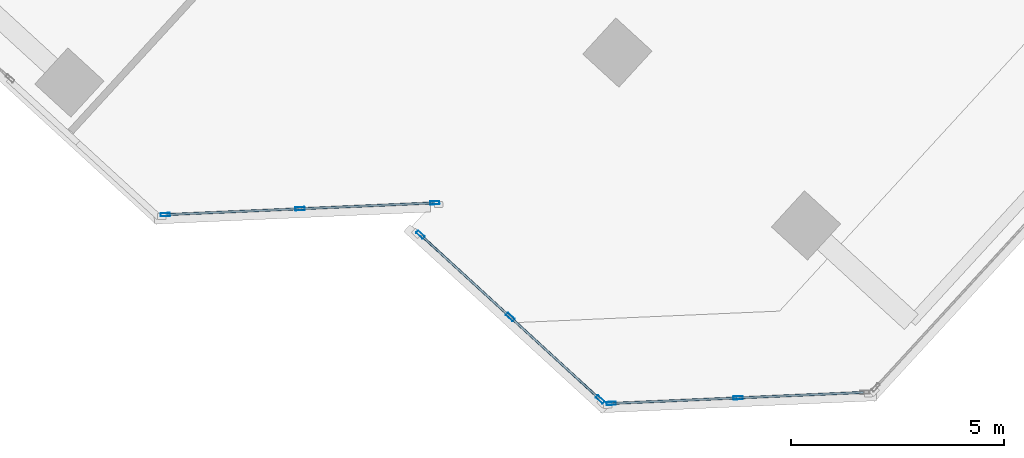
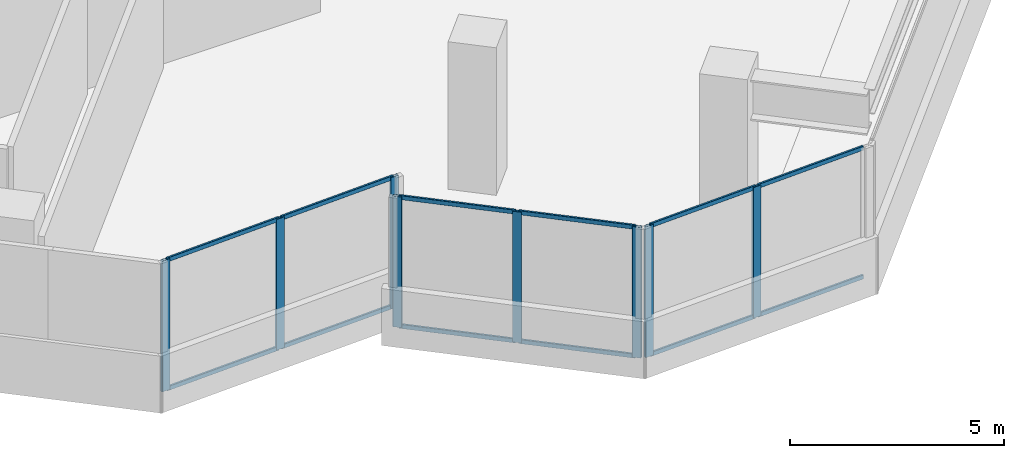
# One storey, part 3 of 18: 20 members, 3 elements without a shape of their own.
"""IFC4 building model written with IfcOpenShell, lengths in metres."""

import ifcopenshell
import ifcopenshell.guid

model = None  # the IFC model being written
_history = None  # IfcOwnerHistory: only IFC2X3 demands one
_inside = {}  # id of a spatial element -> (the spatial element, [elements in it])
_under = {}  # id of a project, library or spatial element -> (it, [spatial elements below it])
_declared = {}  # id of a project -> (the project, [libraries it declares])
_typed = {}  # id of a type object -> (the type object, [elements of that type])
_made_of = {}  # id of a material, layer set ... -> (it, [elements and type objects made of it])


def new_model(schema):
    """Start an empty IFC model of exactly this schema.

    Asked for "IFC4X3", IfcOpenShell would pick the latest addendum, in which some entities
    have other attributes; the version numbers below select the first issue.
    IFC2X3 requires an IfcOwnerHistory on every rooted entity: one is made here for all.
    """
    global model, _history
    if schema == "IFC4X3":
        model = ifcopenshell.file(schema_version=(4, 3, 0, 0))
    else:
        model = ifcopenshell.file(schema=schema)
    _inside.clear()
    _under.clear()
    _declared.clear()
    _typed.clear()
    _made_of.clear()
    _history = None
    if model.schema == "IFC2X3":
        org = make("IfcOrganization", Name="unknown")
        user = make(
            "IfcPersonAndOrganization",
            ThePerson=make("IfcPerson", FamilyName="unknown"),
            TheOrganization=org,
        )
        app = make(
            "IfcApplication",
            ApplicationDeveloper=org,
            Version="unknown",
            ApplicationFullName="unknown",
            ApplicationIdentifier="unknown",
        )
        _history = make(
            "IfcOwnerHistory",
            OwningUser=user,
            OwningApplication=app,
            ChangeAction="ADDED",
            CreationDate=0,
        )
    return model


def make(cls, **values):
    """One entity of the class cls with the attributes given. An attribute that is None is left unset."""
    return model.create_entity(
        cls, **{name: value for name, value in values.items() if value is not None}
    )


def rooted(cls, **values):
    """An entity with a GlobalId (a new one), such as an element, a storey or a relation."""
    return make(cls, GlobalId=ifcopenshell.guid.new(), OwnerHistory=_history, **values)


def si_unit(unit_type, name, prefix=None):
    """IfcSIUnit, for example si_unit("LENGTHUNIT", "METRE", prefix="MILLI")."""
    return make("IfcSIUnit", UnitType=unit_type, Prefix=prefix, Name=name)


def assignment(units):
    """IfcUnitAssignment: the units of a project."""
    return None if units is None else make("IfcUnitAssignment", Units=units)


def point(xyz):
    """IfcCartesianPoint."""
    return None if xyz is None else make("IfcCartesianPoint", Coordinates=xyz)


def direction(xyz):
    """IfcDirection."""
    return None if xyz is None else make("IfcDirection", DirectionRatios=xyz)


def frame(location, z_axis=None, x_axis=None):
    """IfcAxis2Placement3D, a coordinate frame: its origin and axes. An axis left out is left unset."""
    return make(
        "IfcAxis2Placement3D",
        Location=point(location),
        Axis=direction(z_axis),
        RefDirection=direction(x_axis),
    )


def frame_2d(location, x_axis=None):
    """IfcAxis2Placement2D, a coordinate frame in the plane: its origin and x axis."""
    return make(
        "IfcAxis2Placement2D", Location=point(location), RefDirection=direction(x_axis)
    )


def origin():
    """The frame at (0, 0, 0) with its axes left unset."""
    return frame((0.0, 0.0, 0.0))


def origin_2d():
    """The frame at (0, 0) in the plane with its x axis left unset."""
    return frame_2d((0.0, 0.0))


def place(relative_to, where):
    """IfcLocalPlacement: puts the frame where relative to a parent placement (None: the world)."""
    return make(
        "IfcLocalPlacement", PlacementRelTo=relative_to, RelativePlacement=where
    )


def context(
    kind, dimensions, precision=None, world=None, true_north=None, identifier=None
):
    """IfcGeometricRepresentationContext, for example the 3D "Model" context."""
    return make(
        "IfcGeometricRepresentationContext",
        ContextIdentifier=identifier,
        ContextType=kind,
        CoordinateSpaceDimension=dimensions,
        Precision=precision,
        WorldCoordinateSystem=world,
        TrueNorth=true_north,
    )


def subcontext(parent, identifier, kind, view, scale=None):
    """IfcGeometricRepresentationSubContext, for example "Body" below "Model"."""
    return make(
        "IfcGeometricRepresentationSubContext",
        ContextIdentifier=identifier,
        ContextType=kind,
        ParentContext=parent,
        TargetScale=scale,
        TargetView=view,
    )


def project(units=None, contexts=None):
    """IfcProject with its units and contexts."""
    return rooted(
        "IfcProject",
        Name="project",
        RepresentationContexts=contexts,
        UnitsInContext=assignment(units),
    )


def spatial(cls, under=None, at=None, **own):
    """A site, building, storey or space (cls), placed at a placement, below another one or the project."""
    s = rooted(cls, ObjectPlacement=at, **own)
    if under is not None:
        _under.setdefault(under.id(), (under, []))[1].append(s)
    return s


def profile(cls, at=None, kind="AREA", **sizes):
    """A parametric profile (cls). Its sizes go by their IFC names, for example OverallWidth=200.0."""
    return make(cls, ProfileType=kind, Position=at, **sizes)


def hollow_rectangle(**sizes):
    """IfcRectangleHollowProfileDef."""
    return profile("IfcRectangleHollowProfileDef", **sizes)


def extrude(swept, where, along, depth):
    """IfcExtrudedAreaSolid: the profile swept, set in the frame where, extruded along a direction by depth."""
    return make(
        "IfcExtrudedAreaSolid",
        SweptArea=swept,
        Position=where,
        ExtrudedDirection=direction(along),
        Depth=depth,
    )


def shape(context_of_items, identifier, shape_type, items):
    """IfcShapeRepresentation: the items that make up one representation, for example the "Body"."""
    return make(
        "IfcShapeRepresentation",
        ContextOfItems=context_of_items,
        RepresentationIdentifier=identifier,
        RepresentationType=shape_type,
        Items=items,
    )


def source(mapping_origin, context_of_items, identifier, shape_type, items):
    """IfcRepresentationMap: a shape defined once, which mapped items show again and again."""
    return make(
        "IfcRepresentationMap",
        MappingOrigin=mapping_origin,
        MappedRepresentation=shape(context_of_items, identifier, shape_type, items),
    )


def transform(
    local_origin,
    x_axis=None,
    y_axis=None,
    z_axis=None,
    scale=None,
    scale2=None,
    scale3=None,
    uniform=True,
):
    """IfcCartesianTransformationOperator3D, or its non-uniform kind. x_axis, y_axis, z_axis: its Axis1, 2, 3."""
    if uniform:
        return make(
            "IfcCartesianTransformationOperator3D",
            Axis1=direction(x_axis),
            Axis2=direction(y_axis),
            LocalOrigin=point(local_origin),
            Scale=scale,
            Axis3=direction(z_axis),
        )
    return make(
        "IfcCartesianTransformationOperator3DnonUniform",
        Axis1=direction(x_axis),
        Axis2=direction(y_axis),
        LocalOrigin=point(local_origin),
        Scale=scale,
        Axis3=direction(z_axis),
        Scale2=scale2,
        Scale3=scale3,
    )


def mapped(mapping_source, mapping_target):
    """IfcMappedItem: shows the shape of a source again, moved by a transform."""
    return make(
        "IfcMappedItem", MappingSource=mapping_source, MappingTarget=mapping_target
    )


def material(Name=None, Category=None):
    """IfcMaterial."""
    return make("IfcMaterial", Name=Name, Category=Category)


def material_profile(
    of_material, cross_section, Name=None, Category=None, Priority=None
):
    """IfcMaterialProfile: a cross section and its material."""
    return make(
        "IfcMaterialProfile",
        Name=Name,
        Material=of_material,
        Profile=cross_section,
        Priority=Priority,
        Category=Category,
    )


def profile_set(profiles, Name=None, composite=None):
    """IfcMaterialProfileSet."""
    return make(
        "IfcMaterialProfileSet",
        Name=Name,
        MaterialProfiles=profiles,
        CompositeProfile=composite,
    )


def made_of(thing, what):
    """Note that an element or type object is made of a material, layer set ...; save() writes the relation."""
    if what is not None:
        _made_of.setdefault(what.id(), (what, []))[1].append(thing)
    return thing


def type_object(cls, material=None, **own):
    """A type object (cls), such as IfcWallType, which elements share."""
    return made_of(rooted(cls, **own), material)


def element(
    cls,
    number,
    at=None,
    inside=None,
    cuts=None,
    type_object=None,
    material=None,
    context=None,
    identifier="Body",
    shape_type=None,
    held_by="IfcProductDefinitionShape",
    body=None,
    shapes=None,
    **own,
):
    """One element of the class cls, such as IfcWall. Its Tag is "e" and its number.

    at: its placement. inside: the storey or other place that contains it. cuts: it is an
    opening in that element (IfcRelVoidsElement). A single representation is given by context,
    identifier, shape_type and body (its items); several are given by shapes. held_by: the class
    of the entity that holds the representations. save() writes the other relations.
    """
    e = rooted(cls, Tag="e%d" % number, ObjectPlacement=at, **own)
    if body is not None:
        shapes = [shape(context, identifier, shape_type, body)]
    if shapes is not None:
        e.Representation = make(held_by, Representations=shapes)
    if inside is not None:
        _inside.setdefault(inside.id(), (inside, []))[1].append(e)
    if cuts is not None:
        rooted(
            "IfcRelVoidsElement", RelatingBuildingElement=cuts, RelatedOpeningElement=e
        )
    if type_object is not None:
        _typed.setdefault(type_object.id(), (type_object, []))[1].append(e)
    return made_of(e, material)


def aggregate(whole, parts):
    """IfcRelAggregates: a whole, such as a stair, and the parts it consists of."""
    return rooted("IfcRelAggregates", RelatingObject=whole, RelatedObjects=parts)


def save(model, path):
    """Write the relations noted so far, then the file.

    IfcRelAggregates (storeys below a building ...), IfcRelContainedInSpatialStructure (elements
    in a storey), IfcRelDefinesByType, IfcRelAssociatesMaterial and IfcRelDeclares: one each for
    every whole, place, type object, material and project.
    """
    for whole, parts in _under.values():
        aggregate(whole, parts)
    for where, things in _inside.values():
        rooted(
            "IfcRelContainedInSpatialStructure",
            RelatedElements=things,
            RelatingStructure=where,
        )
    for kind, things in _typed.values():
        rooted("IfcRelDefinesByType", RelatedObjects=things, RelatingType=kind)
    for what, things in _made_of.values():
        rooted("IfcRelAssociatesMaterial", RelatedObjects=things, RelatingMaterial=what)
    for by, libraries in _declared.values():
        rooted("IfcRelDeclares", RelatingContext=by, RelatedDefinitions=libraries)
    model.write(path)


model = new_model("IFC4")

# Units and contexts
model_context = context("Model", 3, precision=1e-05, world=origin(), true_north=direction((0.0, 1.0)))
body_context = subcontext(model_context, "Body", "Model", "MODEL_VIEW")
ifc_project = project(units=[si_unit("LENGTHUNIT", "METRE"), si_unit("AREAUNIT", "SQUARE_METRE"), si_unit("VOLUMEUNIT", "CUBIC_METRE"), si_unit("PLANEANGLEUNIT", "RADIAN"), si_unit("MASSUNIT", "GRAM", prefix="KILO")], contexts=[model_context])

# Site, building, storey
site_placement = place(None, origin())
site = spatial("IfcSite", under=ifc_project, at=site_placement, CompositionType="ELEMENT")
building_placement = place(site_placement, origin())
building = spatial("IfcBuilding", under=site, at=building_placement, Name="Torre Montelarca", CompositionType="ELEMENT")
storey_placement = place(building_placement, frame((0.0, 0.0, 233.199951171875)))
storey = spatial("IfcBuildingStorey", under=building, at=storey_placement, Name="L52", CompositionType="ELEMENT", Elevation=233.199951171875)

# Curtain wall, members
ifc_material_1 = material(Name="Insulated low-E laminated glass", Category="glass")
curtain_wall_type = type_object("IfcCurtainWallType", Name="CW-SYS-Z3", PredefinedType="USERDEFINED", material=ifc_material_1)
curtain_wall_1_placement = place(storey_placement, origin())
curtain_wall_1 = element("IfcCurtainWall", 1, at=curtain_wall_1_placement, inside=storey, type_object=curtain_wall_type, Name="L52 Curtain Wall Run CW-T3-L52-E02-B1", ObjectType="UNITISED GLAZING", PredefinedType="USERDEFINED")
ifc_material_2 = material(Name="Anodised aluminium AA 6063-T6", Category="aluminium")
ifc_material_profile_1 = material_profile(ifc_material_2, hollow_rectangle(XDim=0.054931640625, YDim=0.1201171875, WallThickness=0.00341796875, InnerFilletRadius=0.00341796875, OuterFilletRadius=0.007080078125, at=origin_2d()), Name="ALU55X120X3.5", Category="aluminium")
ifc_profile_set_1 = profile_set([ifc_material_profile_1], Name="Anodised aluminium AA 6063-T6")
member_type_1 = type_object("IfcMemberType", Name="CWT-ALU120", PredefinedType="USERDEFINED", material=ifc_profile_set_1)
shared_shape_1 = source(origin(), body_context, "Body", "SweptSolid", [
    extrude(hollow_rectangle(XDim=0.054931640625, YDim=0.1201171875, WallThickness=0.00341796875, InnerFilletRadius=0.00341796875, OuterFilletRadius=0.007080078125, at=origin_2d()), origin(), (0.0, 0.0, 1.0), 3.08740234375),
])
member_1_placement = place(storey_placement, frame((16.22216796875, 12.506591796875, 0.027587890625), z_axis=(0.999050330567, 0.043571056842, 0.0), x_axis=(-0.043571056842, 0.999050330567, 0.0)))
member_1 = element("IfcMember", 2, at=member_1_placement, type_object=member_type_1, Name="CW transom 1.1", ObjectType="TRANSOM", PredefinedType="USERDEFINED", context=body_context, shape_type="MappedRepresentation", body=[
    mapped(shared_shape_1, transform((0.0, 0.0, 0.0), scale=1.0)),
])
member_2_placement = place(storey_placement, frame((16.22216796875, 12.506591796875, 3.692626953125), z_axis=(0.999050330567, 0.043571056842, 0.0), x_axis=(-0.043571056842, 0.999050330567, 0.0)))
member_2 = element("IfcMember", 3, at=member_2_placement, type_object=member_type_1, Name="CW transom 1.2", ObjectType="TRANSOM", PredefinedType="USERDEFINED", context=body_context, shape_type="MappedRepresentation", body=[
    mapped(shared_shape_1, transform((0.0, 0.0, 0.0), scale=1.0)),
])
member_3_placement = place(storey_placement, frame((19.381591796875, 12.64453125, 0.027587890625), z_axis=(0.999050330567, 0.043571056842, 0.0), x_axis=(-0.043571056842, 0.999050330567, 0.0)))
member_3 = element("IfcMember", 4, at=member_3_placement, type_object=member_type_1, Name="CW transom 2.1", ObjectType="TRANSOM", PredefinedType="USERDEFINED", context=body_context, shape_type="MappedRepresentation", body=[
    mapped(shared_shape_1, transform((0.0, 0.0, 0.0), scale=1.0)),
])
member_4_placement = place(storey_placement, frame((19.381591796875, 12.64453125, 3.692626953125), z_axis=(0.999050330567, 0.043571056842, 0.0), x_axis=(-0.043571056842, 0.999050330567, 0.0)))
member_4 = element("IfcMember", 5, at=member_4_placement, type_object=member_type_1, Name="CW transom 2.2", ObjectType="TRANSOM", PredefinedType="USERDEFINED", context=body_context, shape_type="MappedRepresentation", body=[
    mapped(shared_shape_1, transform((0.0, 0.0, 0.0), scale=1.0)),
])

curtain_wall_2_placement = place(storey_placement, origin())
curtain_wall_2 = element("IfcCurtainWall", 6, at=curtain_wall_2_placement, inside=storey, type_object=curtain_wall_type, Name="L52 Curtain Wall Run CW-T3-L52-E05-B1", ObjectType="UNITISED GLAZING", PredefinedType="USERDEFINED")
shared_shape_2 = source(origin(), body_context, "Body", "SweptSolid", [
    extrude(hollow_rectangle(XDim=0.054931640625, YDim=0.1201171875, WallThickness=0.00341796875, InnerFilletRadius=0.00341796875, OuterFilletRadius=0.007080078125, at=origin_2d()), origin(), (0.0, 0.0, 1.0), 2.903564453125),
])
member_5_placement = place(storey_placement, frame((26.67822265625, 8.079345703125, 0.027587890625), z_axis=(0.999047412839, 0.043637906688, 0.0), x_axis=(-0.043637906688, 0.999047412839, 0.0)))
member_5 = element("IfcMember", 7, at=member_5_placement, type_object=member_type_1, Name="CW transom 1.1", ObjectType="TRANSOM", PredefinedType="USERDEFINED", context=body_context, shape_type="MappedRepresentation", body=[
    mapped(shared_shape_2, transform((0.0, 0.0, 0.0), scale=1.0)),
])
member_6_placement = place(storey_placement, frame((26.67822265625, 8.079345703125, 3.692626953125), z_axis=(0.999047412839, 0.043637906688, 0.0), x_axis=(-0.043637906688, 0.999047412839, 0.0)))
member_6 = element("IfcMember", 8, at=member_6_placement, type_object=member_type_1, Name="CW transom 1.2", ObjectType="TRANSOM", PredefinedType="USERDEFINED", context=body_context, shape_type="MappedRepresentation", body=[
    mapped(shared_shape_2, transform((0.0, 0.0, 0.0), scale=1.0)),
])
member_7_placement = place(storey_placement, frame((29.654052734375, 8.209228515625, 0.027587890625), z_axis=(0.999047412839, 0.043637906688, 0.0), x_axis=(-0.043637906688, 0.999047412839, 0.0)))
member_7 = element("IfcMember", 9, at=member_7_placement, type_object=member_type_1, Name="CW transom 2.1", ObjectType="TRANSOM", PredefinedType="USERDEFINED", context=body_context, shape_type="MappedRepresentation", body=[
    mapped(shared_shape_2, transform((0.0, 0.0, 0.0), scale=1.0)),
])
member_8_placement = place(storey_placement, frame((29.654052734375, 8.209228515625, 3.692626953125), z_axis=(0.999047412839, 0.043637906688, 0.0), x_axis=(-0.043637906688, 0.999047412839, 0.0)))
member_8 = element("IfcMember", 10, at=member_8_placement, type_object=member_type_1, Name="CW transom 2.2", ObjectType="TRANSOM", PredefinedType="USERDEFINED", context=body_context, shape_type="MappedRepresentation", body=[
    mapped(shared_shape_2, transform((0.0, 0.0, 0.0), scale=1.0)),
])

# Member
ifc_material_profile_2 = material_profile(ifc_material_2, hollow_rectangle(XDim=0.074951171875, YDim=0.219970703125, WallThickness=0.0048828125, InnerFilletRadius=0.0048828125, OuterFilletRadius=0.010009765625, at=origin_2d()), Name="ALU75X220X5", Category="aluminium")
ifc_profile_set_2 = profile_set([ifc_material_profile_2], Name="Anodised aluminium AA 6063-T6")
member_type_2 = type_object("IfcMemberType", Name="CWM-ALU220", PredefinedType="MULLION", material=ifc_profile_set_2)
shared_shape_3 = source(origin(), body_context, "Body", "SweptSolid", [
    extrude(hollow_rectangle(XDim=0.074951171875, YDim=0.219970703125, WallThickness=0.0048828125, InnerFilletRadius=0.0048828125, OuterFilletRadius=0.010009765625, at=origin_2d()), origin(), (0.0, 0.0, 1.0), 3.719970703125),
])
member_9_placement = place(storey_placement, frame((16.1845703125, 12.5048828125, 0.0), z_axis=(0.0, 0.0, 1.0), x_axis=(-0.043625048009, 0.999047974417, 0.0)))
member_9 = element("IfcMember", 11, at=member_9_placement, type_object=member_type_2, Name="CW mullion 1", PredefinedType="MULLION", context=body_context, shape_type="MappedRepresentation", body=[
    mapped(shared_shape_3, transform((0.0, 0.0, 0.0), scale=1.0)),
])

member_10_placement = place(storey_placement, frame((19.34423828125, 12.642822265625, 0.0), z_axis=(0.0, 0.0, 1.0), x_axis=(-0.043625048009, 0.999047974417, 0.0)))
member_10 = element("IfcMember", 12, at=member_10_placement, type_object=member_type_2, Name="CW mullion 2", PredefinedType="MULLION", context=body_context, shape_type="MappedRepresentation", body=[
    mapped(shared_shape_3, transform((0.0, 0.0, 0.0), scale=1.0)),
])

member_11_placement = place(storey_placement, frame((22.503662109375, 12.78076171875, 0.0), z_axis=(0.0, 0.0, 1.0), x_axis=(-0.043625048009, 0.999047974417, 0.0)))
member_11 = element("IfcMember", 13, at=member_11_placement, type_object=member_type_2, Name="CW mullion 3", PredefinedType="MULLION", context=body_context, shape_type="MappedRepresentation", body=[
    mapped(shared_shape_3, transform((0.0, 0.0, 0.0), scale=1.0)),
])

aggregate(curtain_wall_1, [member_9, member_10, member_11, member_1, member_2, member_3, member_4])

# Curtain wall, members
curtain_wall_3_placement = place(storey_placement, origin())
curtain_wall_3 = element("IfcCurtainWall", 14, at=curtain_wall_3_placement, inside=storey, type_object=curtain_wall_type, Name="L52 Curtain Wall Run CW-T3-L52-E04-B1", ObjectType="UNITISED GLAZING", PredefinedType="USERDEFINED")
member_12_placement = place(storey_placement, frame((22.166015625, 12.03466796875, 0.0), z_axis=(0.0, 0.0, 1.0), x_axis=(0.675572162502, 0.737293871704, 0.0)))
member_12 = element("IfcMember", 15, at=member_12_placement, type_object=member_type_2, Name="CW mullion 1", PredefinedType="MULLION", context=body_context, shape_type="MappedRepresentation", body=[
    mapped(shared_shape_3, transform((0.0, 0.0, 0.0), scale=1.0)),
])
member_13_placement = place(storey_placement, frame((24.273681640625, 10.103515625, 0.0), z_axis=(0.0, 0.0, 1.0), x_axis=(0.675572162502, 0.737293871704, 0.0)))
member_13 = element("IfcMember", 16, at=member_13_placement, type_object=member_type_2, Name="CW mullion 2", PredefinedType="MULLION", context=body_context, shape_type="MappedRepresentation", body=[
    mapped(shared_shape_3, transform((0.0, 0.0, 0.0), scale=1.0)),
])
member_14_placement = place(storey_placement, frame((26.38134765625, 8.172119140625, 0.0), z_axis=(0.0, 0.0, 1.0), x_axis=(0.675572162502, 0.737293871704, 0.0)))
member_14 = element("IfcMember", 17, at=member_14_placement, type_object=member_type_2, Name="CW mullion 3", PredefinedType="MULLION", context=body_context, shape_type="MappedRepresentation", body=[
    mapped(shared_shape_3, transform((0.0, 0.0, 0.0), scale=1.0)),
])

# Member
member_15_placement = place(storey_placement, frame((26.640869140625, 8.07763671875, 0.0), z_axis=(0.0, 0.0, 1.0), x_axis=(-0.043615635968, 0.999048385364, 0.0)))
member_15 = element("IfcMember", 18, at=member_15_placement, type_object=member_type_2, Name="CW mullion 1", PredefinedType="MULLION", context=body_context, shape_type="MappedRepresentation", body=[
    mapped(shared_shape_3, transform((0.0, 0.0, 0.0), scale=1.0)),
])

member_16_placement = place(storey_placement, frame((29.616455078125, 8.207763671875, 0.0), z_axis=(0.0, 0.0, 1.0), x_axis=(-0.043615635968, 0.999048385364, 0.0)))
member_16 = element("IfcMember", 19, at=member_16_placement, type_object=member_type_2, Name="CW mullion 2", PredefinedType="MULLION", context=body_context, shape_type="MappedRepresentation", body=[
    mapped(shared_shape_3, transform((0.0, 0.0, 0.0), scale=1.0)),
])

aggregate(curtain_wall_2, [member_15, member_16, member_5, member_6, member_7, member_8])

shared_shape_4 = source(origin(), body_context, "Body", "SweptSolid", [
    extrude(hollow_rectangle(XDim=0.054931640625, YDim=0.1201171875, WallThickness=0.00341796875, InnerFilletRadius=0.00341796875, OuterFilletRadius=0.007080078125, at=origin_2d()), origin(), (0.0, 0.0, 1.0), 2.78369140625),
])
member_17_placement = place(storey_placement, frame((22.193603515625, 12.00927734375, 0.027587890625), z_axis=(0.737303379609, -0.675561785789, 0.0), x_axis=(0.675561785789, 0.737303379609, 0.0)))
member_17 = element("IfcMember", 20, at=member_17_placement, type_object=member_type_1, Name="CW transom 1.1", ObjectType="TRANSOM", PredefinedType="USERDEFINED", context=body_context, shape_type="MappedRepresentation", body=[
    mapped(shared_shape_4, transform((0.0, 0.0, 0.0), scale=1.0)),
])

member_18_placement = place(storey_placement, frame((22.193603515625, 12.00927734375, 3.692626953125), z_axis=(0.737303379609, -0.675561785789, 0.0), x_axis=(0.675561785789, 0.737303379609, 0.0)))
member_18 = element("IfcMember", 21, at=member_18_placement, type_object=member_type_1, Name="CW transom 1.2", ObjectType="TRANSOM", PredefinedType="USERDEFINED", context=body_context, shape_type="MappedRepresentation", body=[
    mapped(shared_shape_4, transform((0.0, 0.0, 0.0), scale=1.0)),
])

member_19_placement = place(storey_placement, frame((24.30126953125, 10.078125, 0.027587890625), z_axis=(0.737263350359, -0.675605470832, 0.0), x_axis=(0.675605470832, 0.737263350359, 0.0)))
member_19 = element("IfcMember", 22, at=member_19_placement, type_object=member_type_1, Name="CW transom 2.1", ObjectType="TRANSOM", PredefinedType="USERDEFINED", context=body_context, shape_type="MappedRepresentation", body=[
    mapped(shared_shape_4, transform((0.0, 0.0, 0.0), scale=1.0)),
])

member_20_placement = place(storey_placement, frame((24.30126953125, 10.078125, 3.692626953125), z_axis=(0.737263350359, -0.675605470832, 0.0), x_axis=(0.675605470832, 0.737263350359, 0.0)))
member_20 = element("IfcMember", 23, at=member_20_placement, type_object=member_type_1, Name="CW transom 2.2", ObjectType="TRANSOM", PredefinedType="USERDEFINED", context=body_context, shape_type="MappedRepresentation", body=[
    mapped(shared_shape_4, transform((0.0, 0.0, 0.0), scale=1.0)),
])

aggregate(curtain_wall_3, [member_12, member_13, member_14, member_17, member_18, member_19, member_20])

save(model, "model.ifc")
